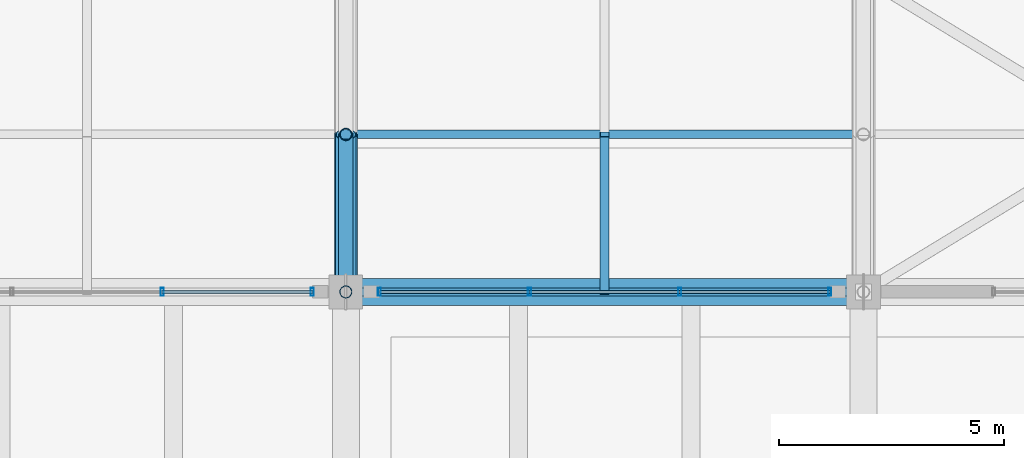
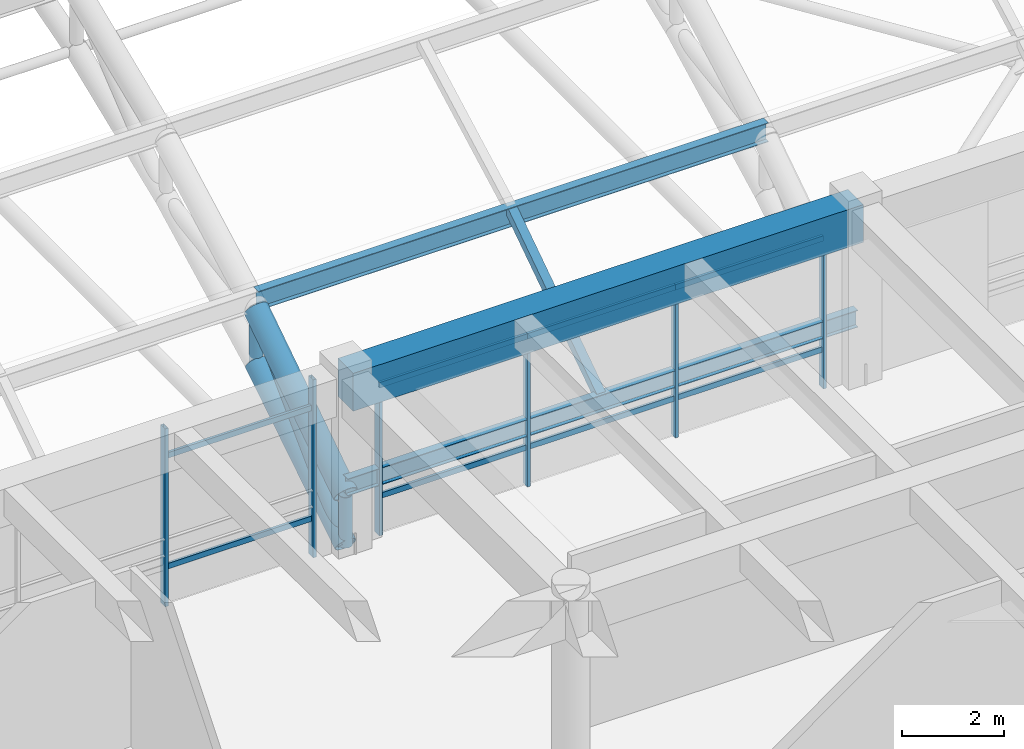
# One storey, part 34 of 154: 22 members, 1 beam, 2 elements without a shape of their own.
"""IFC4 building model written with IfcOpenShell, lengths in metres."""

import ifcopenshell
import ifcopenshell.guid

model = None  # the IFC model being written
_history = None  # IfcOwnerHistory: only IFC2X3 demands one
_inside = {}  # id of a spatial element -> (the spatial element, [elements in it])
_under = {}  # id of a project, library or spatial element -> (it, [spatial elements below it])
_declared = {}  # id of a project -> (the project, [libraries it declares])
_typed = {}  # id of a type object -> (the type object, [elements of that type])
_made_of = {}  # id of a material, layer set ... -> (it, [elements and type objects made of it])


def new_model(schema):
    """Start an empty IFC model of exactly this schema.

    Asked for "IFC4X3", IfcOpenShell would pick the latest addendum, in which some entities
    have other attributes; the version numbers below select the first issue.
    IFC2X3 requires an IfcOwnerHistory on every rooted entity: one is made here for all.
    """
    global model, _history
    if schema == "IFC4X3":
        model = ifcopenshell.file(schema_version=(4, 3, 0, 0))
    else:
        model = ifcopenshell.file(schema=schema)
    _inside.clear()
    _under.clear()
    _declared.clear()
    _typed.clear()
    _made_of.clear()
    _history = None
    if model.schema == "IFC2X3":
        org = make("IfcOrganization", Name="unknown")
        user = make(
            "IfcPersonAndOrganization",
            ThePerson=make("IfcPerson", FamilyName="unknown"),
            TheOrganization=org,
        )
        app = make(
            "IfcApplication",
            ApplicationDeveloper=org,
            Version="unknown",
            ApplicationFullName="unknown",
            ApplicationIdentifier="unknown",
        )
        _history = make(
            "IfcOwnerHistory",
            OwningUser=user,
            OwningApplication=app,
            ChangeAction="ADDED",
            CreationDate=0,
        )
    return model


def make(cls, **values):
    """One entity of the class cls with the attributes given. An attribute that is None is left unset."""
    return model.create_entity(
        cls, **{name: value for name, value in values.items() if value is not None}
    )


def rooted(cls, **values):
    """An entity with a GlobalId (a new one), such as an element, a storey or a relation."""
    return make(cls, GlobalId=ifcopenshell.guid.new(), OwnerHistory=_history, **values)


def si_unit(unit_type, name, prefix=None):
    """IfcSIUnit, for example si_unit("LENGTHUNIT", "METRE", prefix="MILLI")."""
    return make("IfcSIUnit", UnitType=unit_type, Prefix=prefix, Name=name)


def assignment(units):
    """IfcUnitAssignment: the units of a project."""
    return None if units is None else make("IfcUnitAssignment", Units=units)


def point(xyz):
    """IfcCartesianPoint."""
    return None if xyz is None else make("IfcCartesianPoint", Coordinates=xyz)


def direction(xyz):
    """IfcDirection."""
    return None if xyz is None else make("IfcDirection", DirectionRatios=xyz)


def frame(location, z_axis=None, x_axis=None):
    """IfcAxis2Placement3D, a coordinate frame: its origin and axes. An axis left out is left unset."""
    return make(
        "IfcAxis2Placement3D",
        Location=point(location),
        Axis=direction(z_axis),
        RefDirection=direction(x_axis),
    )


def frame_2d(location, x_axis=None):
    """IfcAxis2Placement2D, a coordinate frame in the plane: its origin and x axis."""
    return make(
        "IfcAxis2Placement2D", Location=point(location), RefDirection=direction(x_axis)
    )


def origin():
    """The frame at (0, 0, 0) with its axes left unset."""
    return frame((0.0, 0.0, 0.0))


def origin_2d():
    """The frame at (0, 0) in the plane with its x axis left unset."""
    return frame_2d((0.0, 0.0))


def place(relative_to, where):
    """IfcLocalPlacement: puts the frame where relative to a parent placement (None: the world)."""
    return make(
        "IfcLocalPlacement", PlacementRelTo=relative_to, RelativePlacement=where
    )


def context(
    kind, dimensions, precision=None, world=None, true_north=None, identifier=None
):
    """IfcGeometricRepresentationContext, for example the 3D "Model" context."""
    return make(
        "IfcGeometricRepresentationContext",
        ContextIdentifier=identifier,
        ContextType=kind,
        CoordinateSpaceDimension=dimensions,
        Precision=precision,
        WorldCoordinateSystem=world,
        TrueNorth=true_north,
    )


def subcontext(parent, identifier, kind, view, scale=None):
    """IfcGeometricRepresentationSubContext, for example "Body" below "Model"."""
    return make(
        "IfcGeometricRepresentationSubContext",
        ContextIdentifier=identifier,
        ContextType=kind,
        ParentContext=parent,
        TargetScale=scale,
        TargetView=view,
    )


def project(units=None, contexts=None):
    """IfcProject with its units and contexts."""
    return rooted(
        "IfcProject",
        Name="project",
        RepresentationContexts=contexts,
        UnitsInContext=assignment(units),
    )


def spatial(cls, under=None, at=None, **own):
    """A site, building, storey or space (cls), placed at a placement, below another one or the project."""
    s = rooted(cls, ObjectPlacement=at, **own)
    if under is not None:
        _under.setdefault(under.id(), (under, []))[1].append(s)
    return s


def profile(cls, at=None, kind="AREA", **sizes):
    """A parametric profile (cls). Its sizes go by their IFC names, for example OverallWidth=200.0."""
    return make(cls, ProfileType=kind, Position=at, **sizes)


def rectangle(**sizes):
    """IfcRectangleProfileDef."""
    return profile("IfcRectangleProfileDef", **sizes)


def hollow_rectangle(**sizes):
    """IfcRectangleHollowProfileDef."""
    return profile("IfcRectangleHollowProfileDef", **sizes)


def hollow_circle(**sizes):
    """IfcCircleHollowProfileDef."""
    return profile("IfcCircleHollowProfileDef", **sizes)


def i_section(**sizes):
    """IfcIShapeProfileDef."""
    return profile("IfcIShapeProfileDef", **sizes)


def extrude(swept, where, along, depth):
    """IfcExtrudedAreaSolid: the profile swept, set in the frame where, extruded along a direction by depth."""
    return make(
        "IfcExtrudedAreaSolid",
        SweptArea=swept,
        Position=where,
        ExtrudedDirection=direction(along),
        Depth=depth,
    )


def shape(context_of_items, identifier, shape_type, items):
    """IfcShapeRepresentation: the items that make up one representation, for example the "Body"."""
    return make(
        "IfcShapeRepresentation",
        ContextOfItems=context_of_items,
        RepresentationIdentifier=identifier,
        RepresentationType=shape_type,
        Items=items,
    )


def material(Name=None, Category=None):
    """IfcMaterial."""
    return make("IfcMaterial", Name=Name, Category=Category)


def material_profile(
    of_material, cross_section, Name=None, Category=None, Priority=None
):
    """IfcMaterialProfile: a cross section and its material."""
    return make(
        "IfcMaterialProfile",
        Name=Name,
        Material=of_material,
        Profile=cross_section,
        Priority=Priority,
        Category=Category,
    )


def profile_set(profiles, Name=None, composite=None):
    """IfcMaterialProfileSet."""
    return make(
        "IfcMaterialProfileSet",
        Name=Name,
        MaterialProfiles=profiles,
        CompositeProfile=composite,
    )


def made_of(thing, what):
    """Note that an element or type object is made of a material, layer set ...; save() writes the relation."""
    if what is not None:
        _made_of.setdefault(what.id(), (what, []))[1].append(thing)
    return thing


def type_object(cls, material=None, **own):
    """A type object (cls), such as IfcWallType, which elements share."""
    return made_of(rooted(cls, **own), material)


def element(
    cls,
    number,
    at=None,
    inside=None,
    cuts=None,
    type_object=None,
    material=None,
    context=None,
    identifier="Body",
    shape_type=None,
    held_by="IfcProductDefinitionShape",
    body=None,
    shapes=None,
    **own,
):
    """One element of the class cls, such as IfcWall. Its Tag is "e" and its number.

    at: its placement. inside: the storey or other place that contains it. cuts: it is an
    opening in that element (IfcRelVoidsElement). A single representation is given by context,
    identifier, shape_type and body (its items); several are given by shapes. held_by: the class
    of the entity that holds the representations. save() writes the other relations.
    """
    e = rooted(cls, Tag="e%d" % number, ObjectPlacement=at, **own)
    if body is not None:
        shapes = [shape(context, identifier, shape_type, body)]
    if shapes is not None:
        e.Representation = make(held_by, Representations=shapes)
    if inside is not None:
        _inside.setdefault(inside.id(), (inside, []))[1].append(e)
    if cuts is not None:
        rooted(
            "IfcRelVoidsElement", RelatingBuildingElement=cuts, RelatedOpeningElement=e
        )
    if type_object is not None:
        _typed.setdefault(type_object.id(), (type_object, []))[1].append(e)
    return made_of(e, material)


def aggregate(whole, parts):
    """IfcRelAggregates: a whole, such as a stair, and the parts it consists of."""
    return rooted("IfcRelAggregates", RelatingObject=whole, RelatedObjects=parts)


def save(model, path):
    """Write the relations noted so far, then the file.

    IfcRelAggregates (storeys below a building ...), IfcRelContainedInSpatialStructure (elements
    in a storey), IfcRelDefinesByType, IfcRelAssociatesMaterial and IfcRelDeclares: one each for
    every whole, place, type object, material and project.
    """
    for whole, parts in _under.values():
        aggregate(whole, parts)
    for where, things in _inside.values():
        rooted(
            "IfcRelContainedInSpatialStructure",
            RelatedElements=things,
            RelatingStructure=where,
        )
    for kind, things in _typed.values():
        rooted("IfcRelDefinesByType", RelatedObjects=things, RelatingType=kind)
    for what, things in _made_of.values():
        rooted("IfcRelAssociatesMaterial", RelatedObjects=things, RelatingMaterial=what)
    for by, libraries in _declared.values():
        rooted("IfcRelDeclares", RelatingContext=by, RelatedDefinitions=libraries)
    model.write(path)


model = new_model("IFC4")

# Units and contexts
model_context = context("Model", 3, precision=1e-05, world=origin(), true_north=direction((0.0, 1.0)))
body_context = subcontext(model_context, "Body", "Model", "MODEL_VIEW")
ifc_project = project(units=[si_unit("LENGTHUNIT", "METRE"), si_unit("AREAUNIT", "SQUARE_METRE"), si_unit("VOLUMEUNIT", "CUBIC_METRE"), si_unit("PLANEANGLEUNIT", "RADIAN"), si_unit("MASSUNIT", "GRAM", prefix="KILO")], contexts=[model_context])

# Site, building, storey
site_placement = place(None, origin())
site = spatial("IfcSite", under=ifc_project, at=site_placement, CompositionType="ELEMENT")
building_placement = place(site_placement, origin())
building = spatial("IfcBuilding", under=site, at=building_placement, Name="Ologun Quay Terminus", CompositionType="ELEMENT")
storey_placement = place(building_placement, frame((0.0, 0.0, 13.800048828125)))
storey = spatial("IfcBuildingStorey", under=building, at=storey_placement, Name="L03", CompositionType="ELEMENT", Elevation=13.800048828125)

# Members
ifc_material_1 = material(Name="Steel S355", Category="steel")
ifc_material_profile_1 = material_profile(ifc_material_1, hollow_circle(Radius=0.136474609375, WallThickness=0.010009765625, at=origin_2d()), Name="CHS 273x10")
ifc_profile_set_1 = profile_set([ifc_material_profile_1], Name="Steel S355")
member_type_1 = type_object("IfcMemberType", Name="Arch Truss Vertical Post CHS273", PredefinedType="STRUT", material=ifc_profile_set_1)
member_1_placement = place(storey_placement, frame((69.0, 36.0, 0.0), z_axis=(0.0, 0.0, 1.0), x_axis=(1.0, 0.0, 0.0)))
element("IfcMember", 1, at=member_1_placement, inside=storey, type_object=member_type_1, Name="AW2 Arch Web Post 7-N0", PredefinedType="STRUT", context=body_context, shape_type="SweptSolid", body=[
    extrude(hollow_circle(Radius=0.136474609375, WallThickness=0.010009765625, at=origin_2d()), origin(), (0.0, 0.0, 1.0), 1.199951171875),
])
member_2_placement = place(storey_placement, frame((69.0, 39.5, 2.212158203125), z_axis=(0.0, 0.0, 1.0), x_axis=(1.0, 0.0, 0.0)))
element("IfcMember", 2, at=member_2_placement, inside=storey, type_object=member_type_1, Name="AW2 Arch Web Post 7-N1", PredefinedType="STRUT", context=body_context, shape_type="SweptSolid", body=[
    extrude(hollow_circle(Radius=0.136474609375, WallThickness=0.010009765625, at=origin_2d()), origin(), (0.0, 0.0, 1.0), 1.28564453125),
])
ifc_material_2 = material(Name="Steel S355", Category="steel")
ifc_material_profile_2 = material_profile(ifc_material_2, hollow_circle(Radius=0.161865234375, WallThickness=0.010009765625, at=origin_2d()), Name="CHS 323.9x10")
ifc_profile_set_2 = profile_set([ifc_material_profile_2], Name="Steel S355")
member_type_2 = type_object("IfcMemberType", Name="Arch Truss Web Diagonal CHS323", PredefinedType="BRACE", material=ifc_profile_set_2)
member_3_placement = place(storey_placement, frame((69.0, 36.0, 0.0), z_axis=(0.0, 0.707328773357, 0.706884719301), x_axis=(-1.0, 0.0, 0.0)))
element("IfcMember", 3, at=member_3_placement, inside=storey, type_object=member_type_2, Name="AW1 Arch Web Diagonal 7-P1", PredefinedType="BRACE", context=body_context, shape_type="SweptSolid", body=[
    extrude(hollow_circle(Radius=0.161865234375, WallThickness=0.010009765625, at=origin_2d()), origin(), (0.0, 0.0, 1.0), 4.9482421875),
])

# Curtain wall, members
ifc_material_3 = material(Name="Aluminium 6063-T6", Category="aluminium")
curtain_wall_type = type_object("IfcCurtainWallType", Name="South Pavilion Clerestory Curtain Wall 10700x4050", PredefinedType="USERDEFINED", material=ifc_material_3)
curtain_wall_1_placement = place(storey_placement, origin())
curtain_wall_1 = element("IfcCurtainWall", 4, at=curtain_wall_1_placement, inside=storey, type_object=curtain_wall_type, Name="CW-07 Curtain Wall CW-L03-040", ObjectType="UNITISED CURTAIN WALL", PredefinedType="USERDEFINED")
ifc_material_4 = material(Name="Aluminium 6063-T6", Category="aluminium")
ifc_material_profile_3 = material_profile(ifc_material_4, hollow_rectangle(XDim=0.070068359375, YDim=0.179931640625, WallThickness=0.0048828125, at=origin_2d()), Name="ALU 180x70x5")
ifc_profile_set_3 = profile_set([ifc_material_profile_3], Name="Aluminium 6063-T6")
member_type_3 = type_object("IfcMemberType", Name="Concourse Clerestory Mullion 180x70", PredefinedType="MULLION", material=ifc_profile_set_3)
member_4_placement = place(storey_placement, frame((64.918212890625, 36.0, 0.0), z_axis=(0.0, 0.0, 1.0), x_axis=(1.0, 0.0, 0.0)))
member_4 = element("IfcMember", 5, at=member_4_placement, type_object=member_type_3, Name="CW-L03-040 Mullion 3", PredefinedType="MULLION", context=body_context, shape_type="SweptSolid", body=[
    extrude(hollow_rectangle(XDim=0.070068359375, YDim=0.179931640625, WallThickness=0.0048828125, at=origin_2d()), origin(), (0.0, 0.0, 1.0), 4.239990234375),
])
member_5_placement = place(storey_placement, frame((68.2548828125, 36.0, 0.0), z_axis=(0.0, 0.0, 1.0), x_axis=(1.0, 0.0, 0.0)))
member_5 = element("IfcMember", 6, at=member_5_placement, type_object=member_type_3, Name="CW-L03-040 Mullion 4", PredefinedType="MULLION", context=body_context, shape_type="SweptSolid", body=[
    extrude(hollow_rectangle(XDim=0.070068359375, YDim=0.179931640625, WallThickness=0.0048828125, at=origin_2d()), origin(), (0.0, 0.0, 1.0), 4.239990234375),
])

curtain_wall_2_placement = place(storey_placement, origin())
curtain_wall_2 = element("IfcCurtainWall", 7, at=curtain_wall_2_placement, inside=storey, type_object=curtain_wall_type, Name="CW-07 Curtain Wall CW-L03-041", ObjectType="UNITISED CURTAIN WALL", PredefinedType="USERDEFINED")
member_6_placement = place(storey_placement, frame((69.7451171875, 36.0, 0.0), z_axis=(0.0, 0.0, 1.0), x_axis=(1.0, 0.0, 0.0)))
member_6 = element("IfcMember", 8, at=member_6_placement, type_object=member_type_3, Name="CW-L03-041 Mullion 1", PredefinedType="MULLION", context=body_context, shape_type="SweptSolid", body=[
    extrude(hollow_rectangle(XDim=0.070068359375, YDim=0.179931640625, WallThickness=0.0048828125, at=origin_2d()), origin(), (0.0, 0.0, 1.0), 4.239990234375),
])
member_7_placement = place(storey_placement, frame((73.081787109375, 36.0, 0.0), z_axis=(0.0, 0.0, 1.0), x_axis=(1.0, 0.0, 0.0)))
member_7 = element("IfcMember", 9, at=member_7_placement, type_object=member_type_3, Name="CW-L03-041 Mullion 2", PredefinedType="MULLION", context=body_context, shape_type="SweptSolid", body=[
    extrude(hollow_rectangle(XDim=0.070068359375, YDim=0.179931640625, WallThickness=0.0048828125, at=origin_2d()), origin(), (0.0, 0.0, 1.0), 4.239990234375),
])
member_8_placement = place(storey_placement, frame((76.418212890625, 36.0, 0.0), z_axis=(0.0, 0.0, 1.0), x_axis=(1.0, 0.0, 0.0)))
member_8 = element("IfcMember", 10, at=member_8_placement, type_object=member_type_3, Name="CW-L03-041 Mullion 3", PredefinedType="MULLION", context=body_context, shape_type="SweptSolid", body=[
    extrude(hollow_rectangle(XDim=0.070068359375, YDim=0.179931640625, WallThickness=0.0048828125, at=origin_2d()), origin(), (0.0, 0.0, 1.0), 4.239990234375),
])
member_9_placement = place(storey_placement, frame((79.7548828125, 36.0, 0.0), z_axis=(0.0, 0.0, 1.0), x_axis=(1.0, 0.0, 0.0)))
member_9 = element("IfcMember", 11, at=member_9_placement, type_object=member_type_3, Name="CW-L03-041 Mullion 4", PredefinedType="MULLION", context=body_context, shape_type="SweptSolid", body=[
    extrude(hollow_rectangle(XDim=0.070068359375, YDim=0.179931640625, WallThickness=0.0048828125, at=origin_2d()), origin(), (0.0, 0.0, 1.0), 4.239990234375),
])

# Member
ifc_material_5 = material(Name="Aluminium 6063-T6", Category="aluminium")
ifc_material_profile_4 = material_profile(ifc_material_5, hollow_rectangle(XDim=0.06005859375, YDim=0.1298828125, WallThickness=0.00390625, at=origin_2d()), Name="ALU 130x60x4")
ifc_profile_set_4 = profile_set([ifc_material_profile_4], Name="Aluminium 6063-T6")
member_type_4 = type_object("IfcMemberType", Name="Concourse Clerestory Transom 130x60", PredefinedType="USERDEFINED", material=ifc_profile_set_4)
member_10_placement = place(storey_placement, frame((64.918212890625, 36.0, 0.89990234375), z_axis=(1.0, 0.0, 0.0), x_axis=(0.0, 1.0, 0.0)))
member_10 = element("IfcMember", 12, at=member_10_placement, type_object=member_type_4, Name="CW-L03-040 Transom B3-1", ObjectType="TRANSOM", PredefinedType="USERDEFINED", context=body_context, shape_type="SweptSolid", body=[
    extrude(hollow_rectangle(XDim=0.06005859375, YDim=0.1298828125, WallThickness=0.00390625, at=origin_2d()), origin(), (0.0, 0.0, 1.0), 3.336669921875),
])

member_11_placement = place(storey_placement, frame((64.918212890625, 36.0, 3.5400390625), z_axis=(1.0, 0.0, 0.0), x_axis=(0.0, 1.0, 0.0)))
member_11 = element("IfcMember", 13, at=member_11_placement, type_object=member_type_4, Name="CW-L03-040 Transom B3-2", ObjectType="TRANSOM", PredefinedType="USERDEFINED", context=body_context, shape_type="SweptSolid", body=[
    extrude(hollow_rectangle(XDim=0.06005859375, YDim=0.1298828125, WallThickness=0.00390625, at=origin_2d()), origin(), (0.0, 0.0, 1.0), 3.336669921875),
])

aggregate(curtain_wall_1, [member_4, member_5, member_10, member_11])

member_12_placement = place(storey_placement, frame((69.7451171875, 36.0, 0.89990234375), z_axis=(1.0, 0.0, 0.0), x_axis=(0.0, 1.0, 0.0)))
member_12 = element("IfcMember", 14, at=member_12_placement, type_object=member_type_4, Name="CW-L03-041 Transom B1-1", ObjectType="TRANSOM", PredefinedType="USERDEFINED", context=body_context, shape_type="SweptSolid", body=[
    extrude(hollow_rectangle(XDim=0.06005859375, YDim=0.1298828125, WallThickness=0.00390625, at=origin_2d()), origin(), (0.0, 0.0, 1.0), 3.336669921875),
])

member_13_placement = place(storey_placement, frame((69.7451171875, 36.0, 3.5400390625), z_axis=(1.0, 0.0, 0.0), x_axis=(0.0, 1.0, 0.0)))
member_13 = element("IfcMember", 15, at=member_13_placement, type_object=member_type_4, Name="CW-L03-041 Transom B1-2", ObjectType="TRANSOM", PredefinedType="USERDEFINED", context=body_context, shape_type="SweptSolid", body=[
    extrude(hollow_rectangle(XDim=0.06005859375, YDim=0.1298828125, WallThickness=0.00390625, at=origin_2d()), origin(), (0.0, 0.0, 1.0), 3.336669921875),
])

member_14_placement = place(storey_placement, frame((73.081787109375, 36.0, 0.89990234375), z_axis=(1.0, 0.0, 0.0), x_axis=(0.0, 1.0, 0.0)))
member_14 = element("IfcMember", 16, at=member_14_placement, type_object=member_type_4, Name="CW-L03-041 Transom B2-1", ObjectType="TRANSOM", PredefinedType="USERDEFINED", context=body_context, shape_type="SweptSolid", body=[
    extrude(hollow_rectangle(XDim=0.06005859375, YDim=0.1298828125, WallThickness=0.00390625, at=origin_2d()), origin(), (0.0, 0.0, 1.0), 3.33642578125),
])

member_15_placement = place(storey_placement, frame((73.081787109375, 36.0, 3.5400390625), z_axis=(1.0, 0.0, 0.0), x_axis=(0.0, 1.0, 0.0)))
member_15 = element("IfcMember", 17, at=member_15_placement, type_object=member_type_4, Name="CW-L03-041 Transom B2-2", ObjectType="TRANSOM", PredefinedType="USERDEFINED", context=body_context, shape_type="SweptSolid", body=[
    extrude(hollow_rectangle(XDim=0.06005859375, YDim=0.1298828125, WallThickness=0.00390625, at=origin_2d()), origin(), (0.0, 0.0, 1.0), 3.33642578125),
])

member_16_placement = place(storey_placement, frame((76.418212890625, 36.0, 0.89990234375), z_axis=(1.0, 0.0, 0.0), x_axis=(0.0, 1.0, 0.0)))
member_16 = element("IfcMember", 18, at=member_16_placement, type_object=member_type_4, Name="CW-L03-041 Transom B3-1", ObjectType="TRANSOM", PredefinedType="USERDEFINED", context=body_context, shape_type="SweptSolid", body=[
    extrude(hollow_rectangle(XDim=0.06005859375, YDim=0.1298828125, WallThickness=0.00390625, at=origin_2d()), origin(), (0.0, 0.0, 1.0), 3.336669921875),
])

member_17_placement = place(storey_placement, frame((76.418212890625, 36.0, 3.5400390625), z_axis=(1.0, 0.0, 0.0), x_axis=(0.0, 1.0, 0.0)))
member_17 = element("IfcMember", 19, at=member_17_placement, type_object=member_type_4, Name="CW-L03-041 Transom B3-2", ObjectType="TRANSOM", PredefinedType="USERDEFINED", context=body_context, shape_type="SweptSolid", body=[
    extrude(hollow_rectangle(XDim=0.06005859375, YDim=0.1298828125, WallThickness=0.00390625, at=origin_2d()), origin(), (0.0, 0.0, 1.0), 3.336669921875),
])

aggregate(curtain_wall_2, [member_6, member_7, member_8, member_9, member_12, member_13, member_14, member_15, member_16, member_17])

# Members
ifc_material_6 = material(Name="Steel S355", Category="steel")
ifc_material_profile_5 = material_profile(ifc_material_6, hollow_circle(Radius=0.228515625, WallThickness=0.01611328125, at=origin_2d()), Name="CHS 457x16")
ifc_profile_set_5 = profile_set([ifc_material_profile_5], Name="Steel S355")
member_type_5 = type_object("IfcMemberType", Name="Parabolic Arch Bottom Chord CHS457", PredefinedType="CHORD", material=ifc_profile_set_5)
member_18_placement = place(storey_placement, frame((69.0, 36.0, 0.0), z_axis=(0.0, 0.845310912611, 0.534274705578), x_axis=(-1.0, 0.0, 0.0)))
element("IfcMember", 20, at=member_18_placement, inside=storey, type_object=member_type_5, Name="AC2 Arch Bottom Chord 7-P1", PredefinedType="CHORD", context=body_context, shape_type="SweptSolid", body=[
    extrude(hollow_circle(Radius=0.228515625, WallThickness=0.01611328125, at=origin_2d()), origin(), (0.0, 0.0, 1.0), 4.140380859375),
])
ifc_material_7 = material(Name="Steel S355", Category="steel")
ifc_material_profile_6 = material_profile(ifc_material_7, hollow_circle(Radius=0.25390625, WallThickness=0.01611328125, at=origin_2d()), Name="CHS 508x16")
ifc_profile_set_6 = profile_set([ifc_material_profile_6], Name="Steel S355")
member_type_6 = type_object("IfcMemberType", Name="Parabolic Arch Top Chord CHS508", PredefinedType="CHORD", material=ifc_profile_set_6)
member_19_placement = place(storey_placement, frame((69.0, 36.0, 1.199951171875), z_axis=(0.0, 0.835940905918, 0.548819461949), x_axis=(-1.0, 0.0, 0.0)))
element("IfcMember", 21, at=member_19_placement, inside=storey, type_object=member_type_6, Name="Arch Top Chord 7-P1", PredefinedType="CHORD", context=body_context, shape_type="SweptSolid", body=[
    extrude(hollow_circle(Radius=0.25390625, WallThickness=0.01611328125, at=origin_2d()), origin(), (0.0, 0.0, 1.0), 4.18701171875),
])
ifc_material_8 = material(Name="Steel S355", Category="steel")
ifc_material_profile_7 = material_profile(ifc_material_8, hollow_rectangle(XDim=0.199951171875, YDim=0.199951171875, WallThickness=0.008056640625, at=origin_2d()), Name="SHS 200x200x8")
ifc_profile_set_7 = profile_set([ifc_material_profile_7], Name="Steel S355")
member_type_7 = type_object("IfcMemberType", Name="Skylight Cross Transom Bar RHS150", PredefinedType="STRUT", material=ifc_profile_set_7)
member_20_placement = place(storey_placement, frame((74.75, 36.0, 1.50341796875), z_axis=(0.0, 0.830398014247, 0.55717065423), x_axis=(-1.0, 0.0, 0.0)))
element("IfcMember", 22, at=member_20_placement, inside=storey, type_object=member_type_7, Name="SK2 Eave Secondary Rafter B7-P1", PredefinedType="STRUT", context=body_context, shape_type="SweptSolid", body=[
    extrude(hollow_rectangle(XDim=0.199951171875, YDim=0.199951171875, WallThickness=0.008056640625, at=origin_2d()), origin(), (0.0, 0.0, 1.0), 4.21484375),
])

# Beam
ifc_material_9 = material(Name="Concrete C40/50", Category="concrete")
ifc_material_profile_8 = material_profile(ifc_material_9, rectangle(XDim=0.60009765625, YDim=0.89990234375, at=origin_2d()), Name="RC 600x900")
ifc_profile_set_8 = profile_set([ifc_material_profile_8], Name="Concrete C40/50")
beam_type = type_object("IfcBeamType", Name="Station Frame Girder 600x900", PredefinedType="BEAM", material=ifc_profile_set_8)
beam_placement = place(storey_placement, frame((69.0, 36.0, 3.800048828125), z_axis=(1.0, 0.0, 0.0), x_axis=(0.0, 1.0, 0.0)))
element("IfcBeam", 23, at=beam_placement, inside=storey, type_object=beam_type, Name="B3 Beam 7/E L03", PredefinedType="BEAM", context=body_context, shape_type="SweptSolid", body=[
    extrude(rectangle(XDim=0.60009765625, YDim=0.89990234375, at=origin_2d()), origin(), (0.0, 0.0, 1.0), 11.5),
])

# Members
ifc_material_10 = material(Name="Steel S355", Category="steel")
ifc_material_profile_9 = material_profile(ifc_material_10, i_section(OverallWidth=0.177978515625, OverallDepth=0.406494140625, WebThickness=0.0078125, FlangeThickness=0.0126953125, at=origin_2d()), Name="UKB 406x178x60")
ifc_profile_set_9 = profile_set([ifc_material_profile_9], Name="Steel S355")
member_type_8 = type_object("IfcMemberType", Name="Train Shed Eave & Ridge Purlin UKB406", PredefinedType="PURLIN", material=ifc_profile_set_9)
member_21_placement = place(storey_placement, frame((69.0, 36.0, 1.403076171875), z_axis=(1.0, 0.0, 0.0), x_axis=(0.0, 1.0, 0.0)))
element("IfcMember", 24, at=member_21_placement, inside=storey, type_object=member_type_8, Name="PR2 Roof Purlin B7-N0", PredefinedType="PURLIN", context=body_context, shape_type="SweptSolid", body=[
    extrude(i_section(OverallWidth=0.177978515625, OverallDepth=0.406494140625, WebThickness=0.0078125, FlangeThickness=0.0126953125, at=origin_2d()), origin(), (0.0, 0.0, 1.0), 11.5),
])
ifc_material_11 = material(Name="Steel S355", Category="steel")
ifc_material_profile_10 = material_profile(ifc_material_11, i_section(OverallWidth=0.1904296875, OverallDepth=0.45703125, WebThickness=0.009033203125, FlangeThickness=0.014404296875, at=origin_2d()), Name="UKB 457x191x74")
ifc_profile_set_10 = profile_set([ifc_material_profile_10], Name="Steel S355")
member_type_9 = type_object("IfcMemberType", Name="Train Shed Primary Roof Purlin UKB457", PredefinedType="PURLIN", material=ifc_profile_set_10)
member_22_placement = place(storey_placement, frame((69.0, 39.5, 3.726318359375), z_axis=(1.0, 0.0, 0.0), x_axis=(0.0, 1.0, 0.0)))
element("IfcMember", 25, at=member_22_placement, inside=storey, type_object=member_type_9, Name="PR1 Roof Purlin B7-N1", PredefinedType="PURLIN", context=body_context, shape_type="SweptSolid", body=[
    extrude(i_section(OverallWidth=0.1904296875, OverallDepth=0.45703125, WebThickness=0.009033203125, FlangeThickness=0.014404296875, at=origin_2d()), origin(), (0.0, 0.0, 1.0), 11.5),
])

save(model, "model.ifc")
